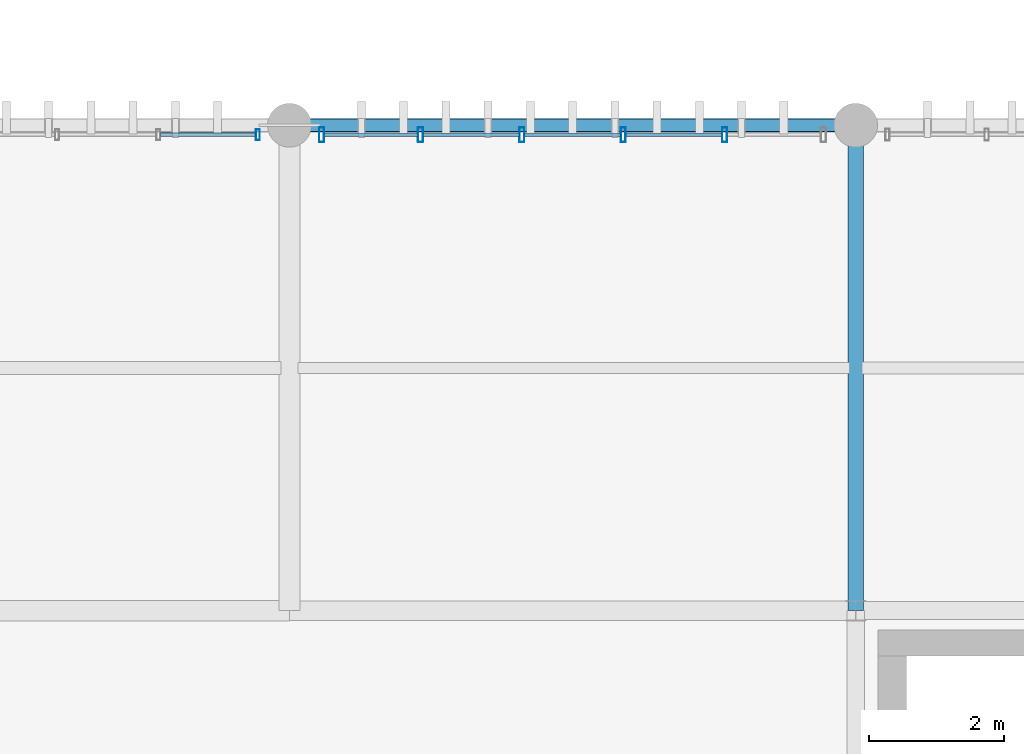
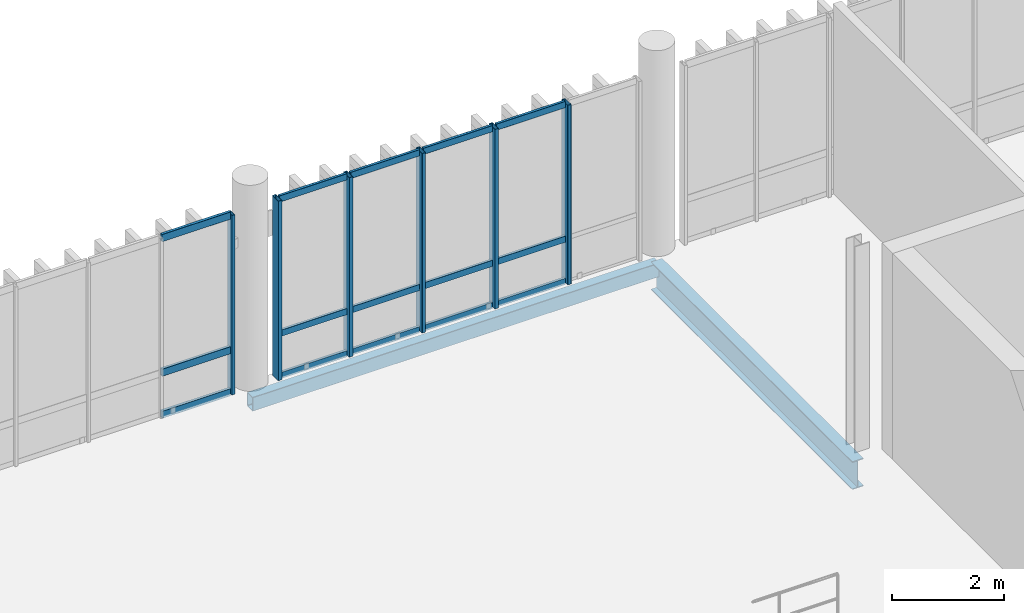
# One storey, part 28 of 66: 21 members, 2 beams, 2 elements without a shape of their own.
"""IFC4 building model written with IfcOpenShell, lengths in metres."""

from ifc_helpers import new_model, si_unit, direction, frame, origin_with_axes, origin_2d_with_axis, place, context, subcontext, project, spatial, hollow_rectangle, i_section, extrude, material, material_profile, profile_set, type_object, element, aggregate, save


model = new_model("IFC4")

# Units and contexts
model_context = context("Model", 3, precision=1e-05, world=origin_with_axes(), true_north=direction((0.0, 1.0)))
body_context = subcontext(model_context, "Body", "Model", "MODEL_VIEW")
ifc_project = project(units=[si_unit("LENGTHUNIT", "METRE"), si_unit("AREAUNIT", "SQUARE_METRE"), si_unit("VOLUMEUNIT", "CUBIC_METRE"), si_unit("PLANEANGLEUNIT", "RADIAN"), si_unit("MASSUNIT", "GRAM", prefix="KILO"), si_unit("THERMODYNAMICTEMPERATUREUNIT", "KELVIN")], contexts=[model_context])

# Site, building, storey
site_placement = place(None, origin_with_axes())
site = spatial("IfcSite", under=ifc_project, at=site_placement, CompositionType="ELEMENT")
building_placement = place(site_placement, origin_with_axes())
building = spatial("IfcBuilding", under=site, at=building_placement, Name="Montbau Bow Law Courts", CompositionType="ELEMENT")
storey_placement = place(building_placement, frame((0.0, 0.0, 34.5), z_axis=(0.0, 0.0, 1.0), x_axis=(1.0, 0.0, 0.0)))
storey = spatial("IfcBuildingStorey", under=building, at=storey_placement, Name="L07", CompositionType="ELEMENT", Elevation=34.5)

# Beams
ifc_material_1 = material(Name="Steel CSA G40.21 Grade 350W (350 MPa)", Category="steel")
ifc_material_profile_1 = material_profile(ifc_material_1, i_section(OverallWidth=0.229, OverallDepth=0.612, WebThickness=0.0119, FlangeThickness=0.0196, at=origin_2d_with_axis()), Name="W610X125", Category="Main", Priority=0)
ifc_profile_set_1 = profile_set([ifc_material_profile_1], Name="Steel CSA G40.21 Grade 350W (350 MPa)")
beam_type_1 = type_object("IfcBeamType", Name="B-FLR-05", PredefinedType="BEAM", material=ifc_profile_set_1)
beam_1_placement = place(None, frame((80.4, 54.6, 33.894), z_axis=(0.0, 1.0, 0.0), x_axis=(-1.0, 0.0, 0.0)))
element("IfcBeam", 1, at=beam_1_placement, inside=storey, type_object=beam_type_1, Name="BM-L07-S1052:bm2_1055", PredefinedType="BEAM", context=body_context, shape_type="SweptSolid", body=[
    extrude(i_section(OverallWidth=0.229, OverallDepth=0.612, WebThickness=0.0119, FlangeThickness=0.0196, at=origin_2d_with_axis()), origin_with_axes(), (0.0, 0.0, 1.0), 7.2),
])
ifc_material_2 = material(Name="Steel CSA G40.21 Grade 350WT (350 MPa)", Category="steel")
ifc_material_profile_2 = material_profile(ifc_material_2, hollow_rectangle(XDim=0.203, YDim=0.305, WallThickness=0.0127, InnerFilletRadius=0.0254, OuterFilletRadius=0.0127, at=origin_2d_with_axis()), Name="HSS305X203X13", Category="Main", Priority=0)
ifc_profile_set_2 = profile_set([ifc_material_profile_2], Name="Steel CSA G40.21 Grade 350WT (350 MPa)")
beam_type_2 = type_object("IfcBeamType", Name="B-SPN-02", PredefinedType="SPANDREL", material=ifc_profile_set_2)
beam_2_placement = place(None, frame((72.0, 61.8, 34.047), z_axis=(1.0, 0.0, 0.0), x_axis=(0.0, 1.0, 0.0)))
element("IfcBeam", 2, at=beam_2_placement, inside=storey, type_object=beam_type_2, Name="SPN-L07-S1038:bm2_1041", PredefinedType="SPANDREL", context=body_context, shape_type="SweptSolid", body=[
    extrude(hollow_rectangle(XDim=0.203, YDim=0.305, WallThickness=0.0127, InnerFilletRadius=0.0254, OuterFilletRadius=0.0127, at=origin_2d_with_axis()), origin_with_axes(), (0.0, 0.0, 1.0), 8.4),
])

# Curtain wall, members
ifc_material_3 = material(Name="Thermally Broken Extruded Aluminium AA 6063-T6", Category="aluminium")
curtain_wall_type = type_object("IfcCurtainWallType", Name="CW-CRM-02", PredefinedType="NOTDEFINED", material=ifc_material_3)
curtain_wall_1_placement = place(None, frame((72.44, 61.66, 34.5), z_axis=(0.0, 0.0, 1.0), x_axis=(1.0, 0.0, 0.0)))
curtain_wall_1 = element("IfcCurtainWall", 3, at=curtain_wall_1_placement, inside=storey, type_object=curtain_wall_type, Name="CW-L07-249:cw_0249", PredefinedType="NOTDEFINED")
ifc_material_profile_3 = material_profile(ifc_material_3, hollow_rectangle(XDim=0.075, YDim=0.22, WallThickness=0.005, InnerFilletRadius=0.01, OuterFilletRadius=0.005, at=origin_2d_with_axis()), Name="CWM-220X75", Category="Main", Priority=0)
ifc_profile_set_3 = profile_set([ifc_material_profile_3], Name="Thermally Broken Extruded Aluminium AA 6063-T6")
member_type_1 = type_object("IfcMemberType", Name="M-MUL-01", PredefinedType="MULLION", material=ifc_profile_set_3)
member_1_placement = place(None, frame((72.477, 61.66, 34.5), z_axis=(0.0, 0.0, 1.0), x_axis=(1.0, 0.0, 0.0)))
member_1 = element("IfcMember", 4, at=member_1_placement, type_object=member_type_1, Name="CW-L07-249-M01:cw_0249_M01", PredefinedType="MULLION", context=body_context, shape_type="SweptSolid", body=[
    extrude(hollow_rectangle(XDim=0.075, YDim=0.22, WallThickness=0.005, InnerFilletRadius=0.01, OuterFilletRadius=0.005, at=origin_2d_with_axis()), origin_with_axes(), (0.0, 0.0, 1.0), 3.92),
])
member_2_placement = place(None, frame((73.944, 61.66, 34.5), z_axis=(0.0, 0.0, 1.0), x_axis=(1.0, 0.0, 0.0)))
member_2 = element("IfcMember", 5, at=member_2_placement, type_object=member_type_1, Name="CW-L07-249-M02:cw_0249_M02", PredefinedType="MULLION", context=body_context, shape_type="SweptSolid", body=[
    extrude(hollow_rectangle(XDim=0.075, YDim=0.22, WallThickness=0.005, InnerFilletRadius=0.01, OuterFilletRadius=0.005, at=origin_2d_with_axis()), origin_with_axes(), (0.0, 0.0, 1.0), 3.92),
])
member_3_placement = place(None, frame((75.448, 61.66, 34.5), z_axis=(0.0, 0.0, 1.0), x_axis=(1.0, 0.0, 0.0)))
member_3 = element("IfcMember", 6, at=member_3_placement, type_object=member_type_1, Name="CW-L07-249-M03:cw_0249_M03", PredefinedType="MULLION", context=body_context, shape_type="SweptSolid", body=[
    extrude(hollow_rectangle(XDim=0.075, YDim=0.22, WallThickness=0.005, InnerFilletRadius=0.01, OuterFilletRadius=0.005, at=origin_2d_with_axis()), origin_with_axes(), (0.0, 0.0, 1.0), 3.92),
])
member_4_placement = place(None, frame((76.952, 61.66, 34.5), z_axis=(0.0, 0.0, 1.0), x_axis=(1.0, 0.0, 0.0)))
member_4 = element("IfcMember", 7, at=member_4_placement, type_object=member_type_1, Name="CW-L07-249-M04:cw_0249_M04", PredefinedType="MULLION", context=body_context, shape_type="SweptSolid", body=[
    extrude(hollow_rectangle(XDim=0.075, YDim=0.22, WallThickness=0.005, InnerFilletRadius=0.01, OuterFilletRadius=0.005, at=origin_2d_with_axis()), origin_with_axes(), (0.0, 0.0, 1.0), 3.92),
])
member_5_placement = place(None, frame((78.456, 61.66, 34.5), z_axis=(0.0, 0.0, 1.0), x_axis=(1.0, 0.0, 0.0)))
member_5 = element("IfcMember", 8, at=member_5_placement, type_object=member_type_1, Name="CW-L07-249-M05:cw_0249_M05", PredefinedType="MULLION", context=body_context, shape_type="SweptSolid", body=[
    extrude(hollow_rectangle(XDim=0.075, YDim=0.22, WallThickness=0.005, InnerFilletRadius=0.01, OuterFilletRadius=0.005, at=origin_2d_with_axis()), origin_with_axes(), (0.0, 0.0, 1.0), 3.92),
])

curtain_wall_2_placement = place(None, frame((64.04, 61.66, 34.5), z_axis=(0.0, 0.0, 1.0), x_axis=(1.0, 0.0, 0.0)))
curtain_wall_2 = element("IfcCurtainWall", 9, at=curtain_wall_2_placement, inside=storey, type_object=curtain_wall_type, Name="CW-L07-248:cw_0248", PredefinedType="NOTDEFINED")
ifc_material_profile_4 = material_profile(ifc_material_3, hollow_rectangle(XDim=0.06, YDim=0.16, WallThickness=0.004, InnerFilletRadius=0.008, OuterFilletRadius=0.004, at=origin_2d_with_axis()), Name="CWM-160X60", Category="Main", Priority=0)
ifc_profile_set_4 = profile_set([ifc_material_profile_4], Name="Thermally Broken Extruded Aluminium AA 6063-T6")
member_type_2 = type_object("IfcMemberType", Name="M-MUL-03", PredefinedType="MULLION", material=ifc_profile_set_4)
member_6_placement = place(None, frame((71.53, 61.66, 34.5), z_axis=(0.0, 0.0, 1.0), x_axis=(1.0, 0.0, 0.0)))
member_6 = element("IfcMember", 10, at=member_6_placement, type_object=member_type_2, Name="CW-L07-248-M06:cw_0248_M06", PredefinedType="MULLION", context=body_context, shape_type="SweptSolid", body=[
    extrude(hollow_rectangle(XDim=0.06, YDim=0.16, WallThickness=0.004, InnerFilletRadius=0.008, OuterFilletRadius=0.004, at=origin_2d_with_axis()), origin_with_axes(), (0.0, 0.0, 1.0), 3.92),
])
ifc_material_profile_5 = material_profile(ifc_material_3, hollow_rectangle(XDim=0.06, YDim=0.16, WallThickness=0.004, InnerFilletRadius=0.008, OuterFilletRadius=0.004, at=origin_2d_with_axis()), Name="CWT-160X60", Category="Main", Priority=0)
ifc_profile_set_5 = profile_set([ifc_material_profile_5], Name="Thermally Broken Extruded Aluminium AA 6063-T6")
member_type_3 = type_object("IfcMemberType", Name="M-TRN-01", PredefinedType="USERDEFINED", material=ifc_profile_set_5)
member_7_placement = place(None, frame((70.088, 61.66, 34.53), z_axis=(1.0, 0.0, 0.0), x_axis=(0.0, 1.0, 0.0)))
member_7 = element("IfcMember", 11, at=member_7_placement, type_object=member_type_3, Name="CW-L07-248-T05-1:cw_0248_T05_1", ObjectType="TRANSOM", PredefinedType="USERDEFINED", context=body_context, shape_type="SweptSolid", body=[
    extrude(hollow_rectangle(XDim=0.06, YDim=0.16, WallThickness=0.004, InnerFilletRadius=0.008, OuterFilletRadius=0.004, at=origin_2d_with_axis()), origin_with_axes(), (0.0, 0.0, 1.0), 1.41),
])
member_8_placement = place(None, frame((70.088, 61.66, 35.45), z_axis=(1.0, 0.0, 0.0), x_axis=(0.0, 1.0, 0.0)))
member_8 = element("IfcMember", 12, at=member_8_placement, type_object=member_type_3, Name="CW-L07-248-T05-2:cw_0248_T05_2", ObjectType="TRANSOM", PredefinedType="USERDEFINED", context=body_context, shape_type="SweptSolid", body=[
    extrude(hollow_rectangle(XDim=0.06, YDim=0.16, WallThickness=0.004, InnerFilletRadius=0.008, OuterFilletRadius=0.004, at=origin_2d_with_axis()), origin_with_axes(), (0.0, 0.0, 1.0), 1.41),
])
member_9_placement = place(None, frame((70.088, 61.66, 38.39), z_axis=(1.0, 0.0, 0.0), x_axis=(0.0, 1.0, 0.0)))
member_9 = element("IfcMember", 13, at=member_9_placement, type_object=member_type_3, Name="CW-L07-248-T05-3:cw_0248_T05_3", ObjectType="TRANSOM", PredefinedType="USERDEFINED", context=body_context, shape_type="SweptSolid", body=[
    extrude(hollow_rectangle(XDim=0.06, YDim=0.16, WallThickness=0.004, InnerFilletRadius=0.008, OuterFilletRadius=0.004, at=origin_2d_with_axis()), origin_with_axes(), (0.0, 0.0, 1.0), 1.41),
])
aggregate(curtain_wall_2, [member_6, member_7, member_8, member_9])

# Member
ifc_material_profile_6 = material_profile(ifc_material_3, hollow_rectangle(XDim=0.055, YDim=0.14, WallThickness=0.004, InnerFilletRadius=0.008, OuterFilletRadius=0.004, at=origin_2d_with_axis()), Name="CWT-140X55", Category="Main", Priority=0)
ifc_profile_set_6 = profile_set([ifc_material_profile_6], Name="Thermally Broken Extruded Aluminium AA 6063-T6")
member_type_4 = type_object("IfcMemberType", Name="M-TRN-02", PredefinedType="USERDEFINED", material=ifc_profile_set_6)
member_10_placement = place(None, frame((72.516, 61.66, 34.528), z_axis=(1.0, 0.0, 0.0), x_axis=(0.0, 1.0, 0.0)))
member_10 = element("IfcMember", 14, at=member_10_placement, type_object=member_type_4, Name="CW-L07-249-T01-1:cw_0249_T01_1", ObjectType="TRANSOM", PredefinedType="USERDEFINED", context=body_context, shape_type="SweptSolid", body=[
    extrude(hollow_rectangle(XDim=0.055, YDim=0.14, WallThickness=0.004, InnerFilletRadius=0.008, OuterFilletRadius=0.004, at=origin_2d_with_axis()), origin_with_axes(), (0.0, 0.0, 1.0), 1.388),
])

member_11_placement = place(None, frame((72.516, 61.66, 35.45), z_axis=(1.0, 0.0, 0.0), x_axis=(0.0, 1.0, 0.0)))
member_11 = element("IfcMember", 15, at=member_11_placement, type_object=member_type_4, Name="CW-L07-249-T01-2:cw_0249_T01_2", ObjectType="TRANSOM", PredefinedType="USERDEFINED", context=body_context, shape_type="SweptSolid", body=[
    extrude(hollow_rectangle(XDim=0.055, YDim=0.14, WallThickness=0.004, InnerFilletRadius=0.008, OuterFilletRadius=0.004, at=origin_2d_with_axis()), origin_with_axes(), (0.0, 0.0, 1.0), 1.388),
])

member_12_placement = place(None, frame((72.516, 61.66, 38.392), z_axis=(1.0, 0.0, 0.0), x_axis=(0.0, 1.0, 0.0)))
member_12 = element("IfcMember", 16, at=member_12_placement, type_object=member_type_4, Name="CW-L07-249-T01-3:cw_0249_T01_3", ObjectType="TRANSOM", PredefinedType="USERDEFINED", context=body_context, shape_type="SweptSolid", body=[
    extrude(hollow_rectangle(XDim=0.055, YDim=0.14, WallThickness=0.004, InnerFilletRadius=0.008, OuterFilletRadius=0.004, at=origin_2d_with_axis()), origin_with_axes(), (0.0, 0.0, 1.0), 1.388),
])

member_13_placement = place(None, frame((73.984, 61.66, 34.528), z_axis=(1.0, 0.0, 0.0), x_axis=(0.0, 1.0, 0.0)))
member_13 = element("IfcMember", 17, at=member_13_placement, type_object=member_type_4, Name="CW-L07-249-T02-1:cw_0249_T02_1", ObjectType="TRANSOM", PredefinedType="USERDEFINED", context=body_context, shape_type="SweptSolid", body=[
    extrude(hollow_rectangle(XDim=0.055, YDim=0.14, WallThickness=0.004, InnerFilletRadius=0.008, OuterFilletRadius=0.004, at=origin_2d_with_axis()), origin_with_axes(), (0.0, 0.0, 1.0), 1.425),
])

member_14_placement = place(None, frame((73.984, 61.66, 35.45), z_axis=(1.0, 0.0, 0.0), x_axis=(0.0, 1.0, 0.0)))
member_14 = element("IfcMember", 18, at=member_14_placement, type_object=member_type_4, Name="CW-L07-249-T02-2:cw_0249_T02_2", ObjectType="TRANSOM", PredefinedType="USERDEFINED", context=body_context, shape_type="SweptSolid", body=[
    extrude(hollow_rectangle(XDim=0.055, YDim=0.14, WallThickness=0.004, InnerFilletRadius=0.008, OuterFilletRadius=0.004, at=origin_2d_with_axis()), origin_with_axes(), (0.0, 0.0, 1.0), 1.425),
])

member_15_placement = place(None, frame((73.984, 61.66, 38.392), z_axis=(1.0, 0.0, 0.0), x_axis=(0.0, 1.0, 0.0)))
member_15 = element("IfcMember", 19, at=member_15_placement, type_object=member_type_4, Name="CW-L07-249-T02-3:cw_0249_T02_3", ObjectType="TRANSOM", PredefinedType="USERDEFINED", context=body_context, shape_type="SweptSolid", body=[
    extrude(hollow_rectangle(XDim=0.055, YDim=0.14, WallThickness=0.004, InnerFilletRadius=0.008, OuterFilletRadius=0.004, at=origin_2d_with_axis()), origin_with_axes(), (0.0, 0.0, 1.0), 1.425),
])

member_16_placement = place(None, frame((75.487, 61.66, 34.528), z_axis=(1.0, 0.0, 0.0), x_axis=(0.0, 1.0, 0.0)))
member_16 = element("IfcMember", 20, at=member_16_placement, type_object=member_type_4, Name="CW-L07-249-T03-1:cw_0249_T03_1", ObjectType="TRANSOM", PredefinedType="USERDEFINED", context=body_context, shape_type="SweptSolid", body=[
    extrude(hollow_rectangle(XDim=0.055, YDim=0.14, WallThickness=0.004, InnerFilletRadius=0.008, OuterFilletRadius=0.004, at=origin_2d_with_axis()), origin_with_axes(), (0.0, 0.0, 1.0), 1.426),
])

member_17_placement = place(None, frame((75.487, 61.66, 35.45), z_axis=(1.0, 0.0, 0.0), x_axis=(0.0, 1.0, 0.0)))
member_17 = element("IfcMember", 21, at=member_17_placement, type_object=member_type_4, Name="CW-L07-249-T03-2:cw_0249_T03_2", ObjectType="TRANSOM", PredefinedType="USERDEFINED", context=body_context, shape_type="SweptSolid", body=[
    extrude(hollow_rectangle(XDim=0.055, YDim=0.14, WallThickness=0.004, InnerFilletRadius=0.008, OuterFilletRadius=0.004, at=origin_2d_with_axis()), origin_with_axes(), (0.0, 0.0, 1.0), 1.426),
])

member_18_placement = place(None, frame((75.487, 61.66, 38.392), z_axis=(1.0, 0.0, 0.0), x_axis=(0.0, 1.0, 0.0)))
member_18 = element("IfcMember", 22, at=member_18_placement, type_object=member_type_4, Name="CW-L07-249-T03-3:cw_0249_T03_3", ObjectType="TRANSOM", PredefinedType="USERDEFINED", context=body_context, shape_type="SweptSolid", body=[
    extrude(hollow_rectangle(XDim=0.055, YDim=0.14, WallThickness=0.004, InnerFilletRadius=0.008, OuterFilletRadius=0.004, at=origin_2d_with_axis()), origin_with_axes(), (0.0, 0.0, 1.0), 1.426),
])

member_19_placement = place(None, frame((76.991, 61.66, 34.528), z_axis=(1.0, 0.0, 0.0), x_axis=(0.0, 1.0, 0.0)))
member_19 = element("IfcMember", 23, at=member_19_placement, type_object=member_type_4, Name="CW-L07-249-T04-1:cw_0249_T04_1", ObjectType="TRANSOM", PredefinedType="USERDEFINED", context=body_context, shape_type="SweptSolid", body=[
    extrude(hollow_rectangle(XDim=0.055, YDim=0.14, WallThickness=0.004, InnerFilletRadius=0.008, OuterFilletRadius=0.004, at=origin_2d_with_axis()), origin_with_axes(), (0.0, 0.0, 1.0), 1.426),
])

member_20_placement = place(None, frame((76.991, 61.66, 35.45), z_axis=(1.0, 0.0, 0.0), x_axis=(0.0, 1.0, 0.0)))
member_20 = element("IfcMember", 24, at=member_20_placement, type_object=member_type_4, Name="CW-L07-249-T04-2:cw_0249_T04_2", ObjectType="TRANSOM", PredefinedType="USERDEFINED", context=body_context, shape_type="SweptSolid", body=[
    extrude(hollow_rectangle(XDim=0.055, YDim=0.14, WallThickness=0.004, InnerFilletRadius=0.008, OuterFilletRadius=0.004, at=origin_2d_with_axis()), origin_with_axes(), (0.0, 0.0, 1.0), 1.426),
])

member_21_placement = place(None, frame((76.991, 61.66, 38.392), z_axis=(1.0, 0.0, 0.0), x_axis=(0.0, 1.0, 0.0)))
member_21 = element("IfcMember", 25, at=member_21_placement, type_object=member_type_4, Name="CW-L07-249-T04-3:cw_0249_T04_3", ObjectType="TRANSOM", PredefinedType="USERDEFINED", context=body_context, shape_type="SweptSolid", body=[
    extrude(hollow_rectangle(XDim=0.055, YDim=0.14, WallThickness=0.004, InnerFilletRadius=0.008, OuterFilletRadius=0.004, at=origin_2d_with_axis()), origin_with_axes(), (0.0, 0.0, 1.0), 1.426),
])

aggregate(curtain_wall_1, [member_1, member_2, member_3, member_4, member_5, member_10, member_11, member_12, member_13, member_14, member_15, member_16, member_17, member_18, member_19, member_20, member_21])

save(model, "model.ifc")
